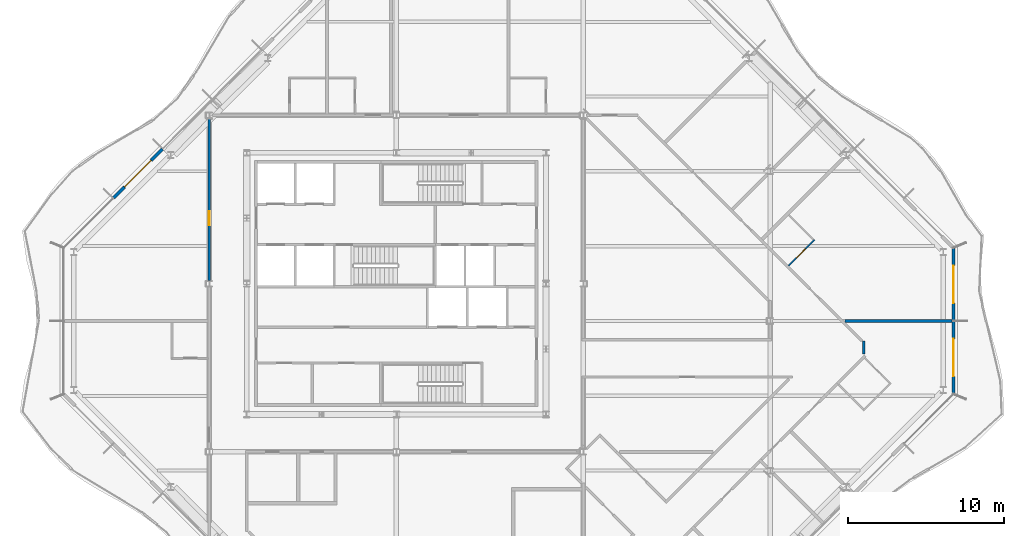
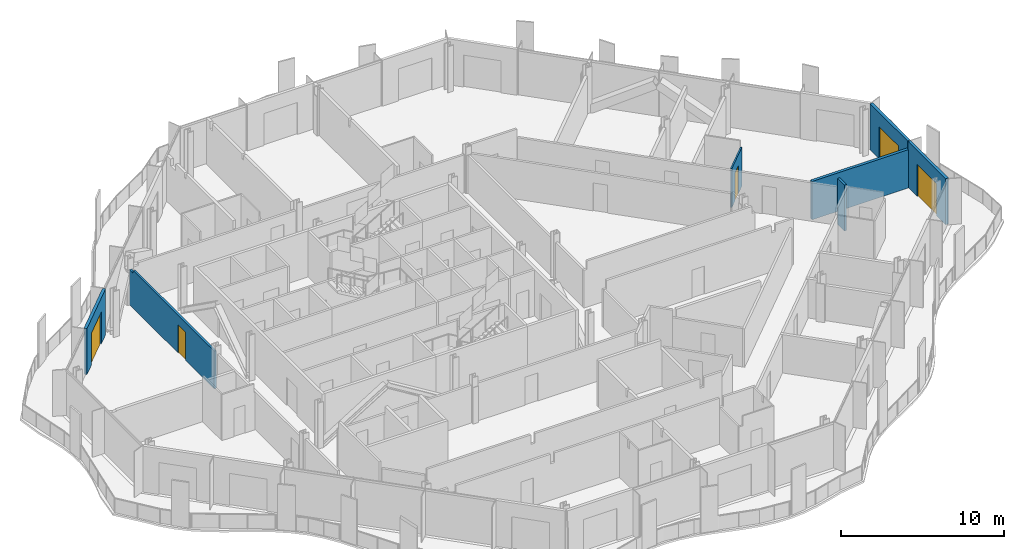
# One storey, part 10 of 17: 7 walls, 5 doors, 5 openings.
"""IFC4 building model written with IfcOpenShell, lengths in metres."""

from ifc_helpers import new_model, si_unit, direction, frame, frame_2d, origin, place, context, subcontext, project, spatial, polyline, rectangle, outline, extrude, material, layer, layer_set, type_object, element, fill, save


model = new_model("IFC4")

# Units and contexts
model_context = context("Model", 3, precision=1e-05, world=origin(), true_north=direction((0.0, 1.0)))
body_context = subcontext(model_context, "Body", "Model", "MODEL_VIEW")
ifc_project = project(units=[si_unit("LENGTHUNIT", "METRE"), si_unit("AREAUNIT", "SQUARE_METRE"), si_unit("VOLUMEUNIT", "CUBIC_METRE"), si_unit("PLANEANGLEUNIT", "RADIAN"), si_unit("MASSUNIT", "GRAM", prefix="KILO")], contexts=[model_context])

# Site, building, storey
site_placement = place(None, origin())
site = spatial("IfcSite", under=ifc_project, at=site_placement, CompositionType="ELEMENT")
building_placement = place(site_placement, origin())
building = spatial("IfcBuilding", under=site, at=building_placement, Name="Cairn Pilgrim Tower", CompositionType="ELEMENT")
storey_placement = place(building_placement, frame((0.0, 0.0, 232.199951171875)))
storey = spatial("IfcBuildingStorey", under=building, at=storey_placement, Name="L59", CompositionType="ELEMENT", Elevation=232.199951171875)

# Wall, opening, door
ifc_material_1 = material(Name="Bronze anodised aluminium insulated sandwich panel with mineral wool fill", Category="aluminium")
ifc_layer_1 = layer(ifc_material_1, 0.199951171875)
ifc_layer_set_1 = layer_set([ifc_layer_1], Name="BRONZE INFILL FRAME WALL 200")
wall_type_1 = type_object("IfcWallType", Name="BRONZE INFILL FRAME WALL 200", PredefinedType="NOTDEFINED", material=ifc_layer_set_1)
wall_1_placement = place(storey_placement, frame((42.949951171875, -4.656494140625, 0.0), z_axis=(0.0, 0.0, 1.0), x_axis=(0.0, 1.0, 0.0)))
wall_1 = element("IfcWall", 1, at=wall_1_placement, inside=storey, type_object=wall_type_1, Name="Bronze infill frame wall IW-E1", PredefinedType="NOTDEFINED", context=body_context, shape_type="SweptSolid", body=[
    extrude(rectangle(XDim=4.62646484375, YDim=0.199951171875, at=frame_2d((2.313232421875, 0.0))), origin(), (0.0, 0.0, 1.0), 3.449951171875),
])
opening_1_placement = place(wall_1_placement, frame((1.1083984375, 0.0, 0.0)))
opening_1 = element("IfcOpeningElement", 2, at=opening_1_placement, cuts=wall_1, Name="Opening 5904B", PredefinedType="OPENING", context=body_context, shape_type="SweptSolid", body=[
    extrude(rectangle(XDim=2.39990234375, YDim=2.39990234375, at=frame_2d((1.199951171875, 1.199951171875))), frame((0.0, 0.10986328125, 0.0), z_axis=(0.0, -1.0, 0.0), x_axis=(1.0, 0.0, 0.0)), (0.0, 0.0, 1.0), 0.219970703125),
])
ifc_material_2 = material(Name="Bronze anodised aluminium frame with tinted low-E glass", Category="aluminium")
door_type_1 = type_object("IfcDoorType", Name="BALCONY SLIDING DOOR 2400x2400", OperationType="DOUBLE_DOOR_SLIDING", PredefinedType="DOOR", material=ifc_material_2)
door_1_placement = place(opening_1_placement, origin())
door_1 = element("IfcDoor", 3, at=door_1_placement, inside=storey, type_object=door_type_1, Name="Balcony sliding door 5904B", OperationType="SINGLE_SWING_LEFT", OverallHeight=2.39990234375, OverallWidth=2.39990234375, PredefinedType="DOOR", context=body_context, shape_type="SweptSolid", body=[
    extrude(rectangle(XDim=2.39990234375, YDim=2.39990234375, at=frame_2d((1.199951171875, 1.199951171875))), frame((0.0, 0.02490234375, 0.0), z_axis=(0.0, -1.0, 0.0), x_axis=(1.0, 0.0, 0.0)), (0.0, 0.0, 1.0), 0.050048828125),
])
fill(opening_1, door_1)

wall_2_placement = place(storey_placement, frame((42.949951171875, 0.030029296875, 0.0), z_axis=(0.0, 0.0, 1.0), x_axis=(0.0, 1.0, 0.0)))
wall_2 = element("IfcWall", 4, at=wall_2_placement, inside=storey, type_object=wall_type_1, Name="Bronze infill frame wall IW-E2", PredefinedType="NOTDEFINED", context=body_context, shape_type="SweptSolid", body=[
    extrude(rectangle(XDim=4.62646484375, YDim=0.199951171875, at=frame_2d((2.313232421875, 0.0))), origin(), (0.0, 0.0, 1.0), 3.449951171875),
])
opening_2_placement = place(wall_2_placement, frame((1.117919921875, 0.0, 0.0)))
opening_2 = element("IfcOpeningElement", 5, at=opening_2_placement, cuts=wall_2, Name="Opening 5905B2", PredefinedType="OPENING", context=body_context, shape_type="SweptSolid", body=[
    extrude(rectangle(XDim=2.39990234375, YDim=2.39990234375, at=frame_2d((1.199951171875, 1.199951171875))), frame((0.0, 0.10986328125, 0.0), z_axis=(0.0, -1.0, 0.0), x_axis=(1.0, 0.0, 0.0)), (0.0, 0.0, 1.0), 0.219970703125),
])
door_2_placement = place(opening_2_placement, origin())
door_2 = element("IfcDoor", 6, at=door_2_placement, inside=storey, type_object=door_type_1, Name="Balcony sliding door 5905B2", OperationType="SINGLE_SWING_LEFT", OverallHeight=2.39990234375, OverallWidth=2.39990234375, PredefinedType="DOOR", context=body_context, shape_type="SweptSolid", body=[
    extrude(rectangle(XDim=2.39990234375, YDim=2.39990234375, at=frame_2d((1.199951171875, 1.199951171875))), frame((0.0, 0.02490234375, 0.0), z_axis=(0.0, -1.0, 0.0), x_axis=(1.0, 0.0, 0.0)), (0.0, 0.0, 1.0), 0.050048828125),
])
fill(opening_2, door_2)

wall_3_placement = place(storey_placement, frame((-7.820068359375, 11.0263671875, 0.0), z_axis=(0.0, 0.0, 1.0), x_axis=(-0.707106781187, -0.707106781187, 0.0)))
wall_3 = element("IfcWall", 7, at=wall_3_placement, inside=storey, type_object=wall_type_1, Name="Bronze infill frame wall IW-NW5", PredefinedType="NOTDEFINED", context=body_context, shape_type="SweptSolid", body=[
    extrude(rectangle(XDim=4.430908203125, YDim=0.199951171875, at=frame_2d((2.21533203125, 0.0))), origin(), (0.0, 0.0, 1.0), 3.449951171875),
])
opening_3_placement = place(wall_3_placement, frame((1.015869140625, 0.0, 0.0)))
opening_3 = element("IfcOpeningElement", 8, at=opening_3_placement, cuts=wall_3, Name="Opening 5911B", PredefinedType="OPENING", context=body_context, shape_type="SweptSolid", body=[
    extrude(rectangle(XDim=2.39990234375, YDim=2.39990234375, at=frame_2d((1.199951171875, 1.199951171875))), frame((0.0, 0.10986328125, 0.0), z_axis=(0.0, -1.0, 0.0), x_axis=(1.0, 0.0, 0.0)), (0.0, 0.0, 1.0), 0.219970703125),
])
door_3_placement = place(opening_3_placement, origin())
door_3 = element("IfcDoor", 9, at=door_3_placement, inside=storey, type_object=door_type_1, Name="Balcony sliding door 5911B", OperationType="SINGLE_SWING_LEFT", OverallHeight=2.39990234375, OverallWidth=2.39990234375, PredefinedType="DOOR", context=body_context, shape_type="SweptSolid", body=[
    extrude(rectangle(XDim=2.39990234375, YDim=2.39990234375, at=frame_2d((1.199951171875, 1.199951171875))), frame((0.0, 0.02490234375, 0.0), z_axis=(0.0, -1.0, 0.0), x_axis=(1.0, 0.0, 0.0)), (0.0, 0.0, 1.0), 0.050048828125),
])
fill(opening_3, door_3)

ifc_material_3 = material(Name="Gypsum partition")
ifc_layer_2 = layer(ifc_material_3, 0.10009765625)
ifc_layer_set_2 = layer_set([ifc_layer_2], Name="PARTITION 100 DRYWALL")
wall_type_2 = type_object("IfcWallType", Name="PARTITION 100 DRYWALL", PredefinedType="PARTITIONING", material=ifc_layer_set_2)
wall_4_placement = place(storey_placement, frame((32.35888671875, 3.541015625, 0.0), z_axis=(0.0, 0.0, 1.0), x_axis=(0.707158179099, 0.707055379538, 0.0)))
wall_4 = element("IfcWall", 10, at=wall_4_placement, inside=storey, type_object=wall_type_2, Name="PARTITION W060", PredefinedType="PARTITIONING", context=body_context, shape_type="SweptSolid", body=[
    extrude(rectangle(XDim=2.375, YDim=0.10009765625, at=frame_2d((1.1875, 0.0))), origin(), (0.0, 0.0, 1.0), 2.929931640625),
])
opening_4_placement = place(wall_4_placement, frame((0.72509765625, 0.0, 0.0)))
opening_4 = element("IfcOpeningElement", 11, at=opening_4_placement, cuts=wall_4, Name="Opening 5905A", PredefinedType="OPENING", context=body_context, shape_type="SweptSolid", body=[
    extrude(rectangle(XDim=0.800048828125, YDim=2.10009765625, at=frame_2d((0.39990234375, 1.050048828125))), frame((0.0, 0.06005859375, 0.0), z_axis=(0.0, -1.0, 0.0), x_axis=(1.0, 0.0, 0.0)), (0.0, 0.0, 1.0), 0.1201171875),
])
ifc_material_4 = material(Name="Timber door leaf", Category="wood")
door_type_2 = type_object("IfcDoorType", Name="WC DOOR 800x2100", OperationType="NOTDEFINED", PredefinedType="DOOR", material=ifc_material_4)
door_4_placement = place(opening_4_placement, frame((0.800048828125, 0.0, 0.0), z_axis=(0.0, 0.0, 1.0), x_axis=(-1.0, 0.0, 0.0)))
door_4 = element("IfcDoor", 12, at=door_4_placement, inside=storey, type_object=door_type_2, Name="DOOR 5905A", OperationType="SINGLE_SWING_LEFT", OverallHeight=2.10009765625, OverallWidth=0.800048828125, PredefinedType="DOOR", context=body_context, shape_type="SweptSolid", body=[
    extrude(rectangle(XDim=0.800048828125, YDim=2.10009765625, at=frame_2d((0.39990234375, 1.050048828125))), frame((0.0, 0.02490234375, 0.0), z_axis=(0.0, -1.0, 0.0), x_axis=(1.0, 0.0, 0.0)), (0.0, 0.0, 1.0), 0.050048828125),
])
fill(opening_4, door_4)

# Wall
ifc_layer_3 = layer(ifc_material_3, 0.14990234375)
ifc_layer_set_3 = layer_set([ifc_layer_3], Name="PARTITION 150 DRYWALL EI 60")
wall_type_3 = type_object("IfcWallType", Name="PARTITION 150 DRYWALL EI 60", PredefinedType="PARTITIONING", material=ifc_layer_set_3)
wall_5_placement = place(storey_placement, frame((37.199951171875, -2.1337890625, 0.0), z_axis=(0.0, 0.0, 1.0), x_axis=(0.0, 1.0, 0.0)))
element("IfcWall", 13, at=wall_5_placement, inside=storey, type_object=wall_type_3, Name="PARTITION W049", PredefinedType="PARTITIONING", context=body_context, shape_type="SweptSolid", body=[
    extrude(rectangle(XDim=0.833984375, YDim=0.14990234375, at=frame_2d((0.4169921875, 0.0))), origin(), (0.0, 0.0, 1.0), 3.449951171875),
])

# Wall, opening, door
wall_6_placement = place(storey_placement, frame((-4.800048828125, 2.596435546875, 0.0), z_axis=(0.0, 0.0, 1.0), x_axis=(0.0, 1.0, 0.0)))
wall_6 = element("IfcWall", 14, at=wall_6_placement, inside=storey, type_object=wall_type_3, Name="PARTITION W058", PredefinedType="PARTITIONING", context=body_context, shape_type="SweptSolid", body=[
    extrude(outline(polyline([(0.0, 0.0), (10.406982421875, 0.0), (10.406982421875, 2.630126953125), (9.960693359375, 2.630126953125), (9.958740234375, 2.830078125), (0.0, 2.830078125), (0.0, 0.0)])), frame((0.0, 0.074951171875, 0.0), z_axis=(0.0, -1.0, 0.0), x_axis=(1.0, 0.0, 0.0)), (0.0, 0.0, 1.0), 0.14990234375),
])
opening_5_placement = place(wall_6_placement, frame((3.553466796875, 0.0, 0.0)))
opening_5 = element("IfcOpeningElement", 15, at=opening_5_placement, cuts=wall_6, Name="Opening 5911", PredefinedType="OPENING", context=body_context, shape_type="SweptSolid", body=[
    extrude(rectangle(XDim=0.89990234375, YDim=2.10009765625, at=frame_2d((0.449951171875, 1.050048828125))), frame((0.0, 0.0849609375, 0.0), z_axis=(0.0, -1.0, 0.0), x_axis=(1.0, 0.0, 0.0)), (0.0, 0.0, 1.0), 0.169921875),
])
door_type_3 = type_object("IfcDoorType", Name="ROOM DOOR 900x2100 FD30S", OperationType="NOTDEFINED", PredefinedType="DOOR", material=ifc_material_4)
door_5_placement = place(opening_5_placement, origin())
door_5 = element("IfcDoor", 16, at=door_5_placement, inside=storey, type_object=door_type_3, Name="DOOR 5911", OperationType="SINGLE_SWING_RIGHT", OverallHeight=2.10009765625, OverallWidth=0.89990234375, PredefinedType="DOOR", context=body_context, shape_type="SweptSolid", body=[
    extrude(rectangle(XDim=0.89990234375, YDim=2.10009765625, at=frame_2d((0.449951171875, 1.050048828125))), frame((0.0, 0.02490234375, 0.0), z_axis=(0.0, -1.0, 0.0), x_axis=(1.0, 0.0, 0.0)), (0.0, 0.0, 1.0), 0.050048828125),
])
fill(opening_5, door_5)

# Wall
ifc_layer_4 = layer(ifc_material_3, 0.199951171875)
ifc_layer_set_4 = layer_set([ifc_layer_4], Name="SHAFT WALL 200 GYPSUM EI 60")
wall_type_4 = type_object("IfcWallType", Name="SHAFT WALL 200 GYPSUM EI 60", PredefinedType="PARTITIONING", material=ifc_layer_set_4)
wall_7_placement = place(storey_placement, frame((36.0, 0.0, 0.0), z_axis=(0.0, 0.0, 1.0), x_axis=(1.0, 0.0, 0.0)))
element("IfcWall", 17, at=wall_7_placement, inside=storey, type_object=wall_type_4, Name="PARTITION W055", PredefinedType="PARTITIONING", context=body_context, shape_type="SweptSolid", body=[
    extrude(rectangle(XDim=6.85009765625, YDim=0.199951171875, at=frame_2d((3.425048828125, 0.0))), origin(), (0.0, 0.0, 1.0), 2.880126953125),
])

save(model, "model.ifc")
